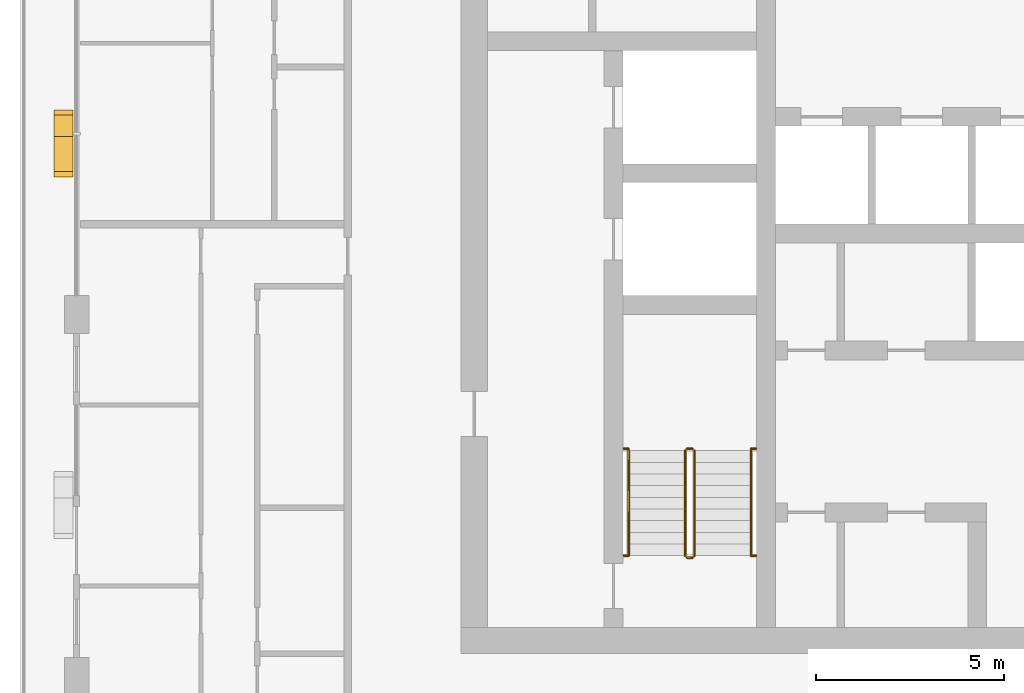
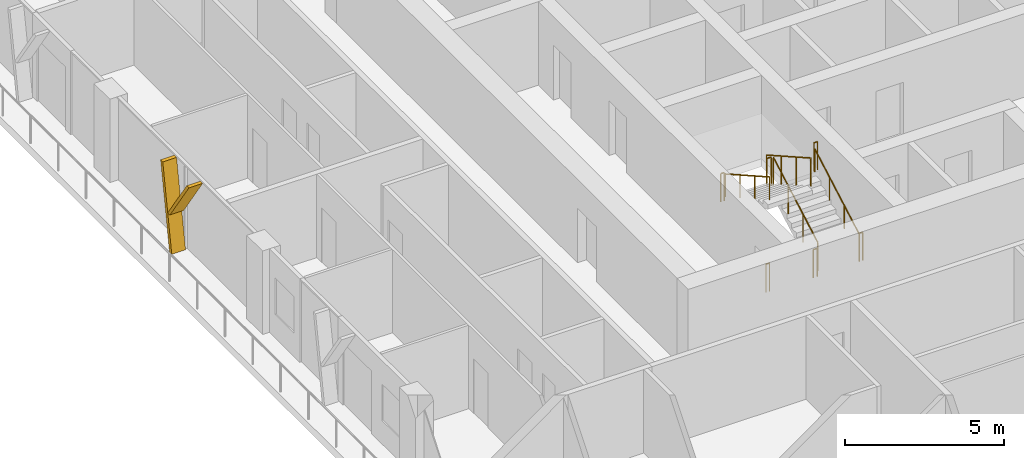
# One storey, part 18 of 22: 10 railings, 2 shading devices.
"""IFC4 building model written with IfcOpenShell, lengths in metres."""

from ifc_helpers import new_model, si_unit, direction, frame, origin, origin_2d, place, context, subcontext, project, spatial, polyline, circle, outline, extrude, material, type_object, element, save


model = new_model("IFC4")

# Units and contexts
model_context = context("Model", 3, precision=1e-05, world=origin(), true_north=direction((0.0, 1.0)))
body_context = subcontext(model_context, "Body", "Model", "MODEL_VIEW")
ifc_project = project(units=[si_unit("LENGTHUNIT", "METRE"), si_unit("AREAUNIT", "SQUARE_METRE"), si_unit("VOLUMEUNIT", "CUBIC_METRE"), si_unit("PLANEANGLEUNIT", "RADIAN"), si_unit("MASSUNIT", "GRAM", prefix="KILO")], contexts=[model_context])

# Site, building, storey
site_placement = place(None, origin())
site = spatial("IfcSite", under=ifc_project, at=site_placement, CompositionType="ELEMENT")
building_placement = place(site_placement, origin())
building = spatial("IfcBuilding", under=site, at=building_placement, Name="Madar Terraces", CompositionType="ELEMENT")
storey_placement = place(building_placement, frame((0.0, 0.0, 178.89990234375)))
storey = spatial("IfcBuildingStorey", under=building, at=storey_placement, Name="L46", CompositionType="ELEMENT", Elevation=178.89990234375)

# Shading devices
ifc_material_1 = material(Name="Aluminium, black anodised", Category="aluminium")
shading_device_type = type_object("IfcShadingDeviceType", Name="Facade fin blade 140 x 500", PredefinedType="USERDEFINED", material=ifc_material_1)
shading_device_1_placement = place(storey_placement, frame((4.449951171875, 28.8701171875, 0.0), z_axis=(0.0, 0.0, 1.0), x_axis=(0.0, -1.0, 0.0)))
element("IfcShadingDevice", 1, at=shading_device_1_placement, inside=storey, type_object=shading_device_type, Name="FIN L46 W2", ObjectType="FIN", PredefinedType="USERDEFINED", context=body_context, shape_type="SweptSolid", body=[
    extrude(outline(polyline([(0.0, 0.0), (0.14013671875, 0.0), (-0.42431640625, 3.2001953125), (-0.564208984375, 3.2001953125), (0.0, 0.0)])), frame((0.0, 0.25, 0.0), z_axis=(0.0, -1.0, 0.0), x_axis=(1.0, 0.0, 0.0)), (0.0, 0.0, 1.0), 0.5),
])
shading_device_2_placement = place(storey_placement, frame((4.449951171875, 28.98388671875, 1.440185546875), z_axis=(0.0, 0.0, 1.0), x_axis=(0.0, -1.0, 0.0)))
element("IfcShadingDevice", 2, at=shading_device_2_placement, inside=storey, type_object=shading_device_type, Name="FIN L46 W2 branch", ObjectType="FIN", PredefinedType="USERDEFINED", context=body_context, shape_type="SweptSolid", body=[
    extrude(outline(polyline([(0.0, 0.0), (0.139892578125, 0.0), (1.32958984375, 1.760009765625), (1.189697265625, 1.760009765625), (0.0, 0.0)])), frame((0.0, 0.25, 0.0), z_axis=(0.0, -1.0, 0.0), x_axis=(1.0, 0.0, 0.0)), (0.0, 0.0, 1.0), 0.5),
])

# Railings
ifc_material_2 = material(Name="Stainless steel railing", Category="steel")
railing_type_1 = type_object("IfcRailingType", Name="Stair guard 1100", PredefinedType="GUARDRAIL", material=ifc_material_2)
railing_1_placement = place(storey_placement, frame((21.199951171875, 17.60009765625, 0.175048828125)))
element("IfcRailing", 3, at=railing_1_placement, inside=storey, type_object=railing_type_1, Name="L46 ST1 stair guard 1", PredefinedType="GUARDRAIL", context=body_context, shape_type="SweptSolid", body=[
    extrude(circle(Radius=0.02392578125, at=origin_2d()), frame((0.0, 0.0, 1.076171875), z_axis=(0.0, 0.870815363784, 0.491610213684), x_axis=(-1.0, 0.0, 0.0)), (0.0, 0.0, 1.0), 3.20361328125),
    extrude(circle(Radius=0.02099609375, at=origin_2d()), origin(), (0.0, 0.0, 1.0), 1.052001953125),
    extrude(circle(Radius=0.02099609375, at=origin_2d()), frame((0.0, 0.929931640625, 0.52490234375)), (0.0, 0.0, 1.0), 1.052001953125),
    extrude(circle(Radius=0.02099609375, at=origin_2d()), frame((0.0, 1.85986328125, 1.050048828125)), (0.0, 0.0, 1.0), 1.052001953125),
    extrude(circle(Radius=0.02099609375, at=origin_2d()), frame((0.0, 2.789794921875, 1.574951171875)), (0.0, 0.0, 1.0), 1.052001953125),
])
railing_2_placement = place(storey_placement, frame((21.14990234375, 20.43994140625, 1.75)))
element("IfcRailing", 4, at=railing_2_placement, inside=storey, type_object=railing_type_1, Name="L46 ST1 stair guard 2", PredefinedType="GUARDRAIL", context=body_context, shape_type="SweptSolid", body=[
    extrude(circle(Radius=0.02392578125, at=origin_2d()), frame((0.0, 0.0, 1.076171875), z_axis=(-1.0, 0.0, 0.0), x_axis=(0.0, -1.0, 0.0)), (0.0, 0.0, 1.0), 0.14990234375),
    extrude(circle(Radius=0.02099609375, at=origin_2d()), origin(), (0.0, 0.0, 1.0), 1.052001953125),
    extrude(circle(Radius=0.02099609375, at=origin_2d()), frame((-0.14990234375, 0.0, 0.0)), (0.0, 0.0, 1.0), 1.052001953125),
])
railing_3_placement = place(storey_placement, frame((20.949951171875, 20.389892578125, 1.925048828125)))
element("IfcRailing", 5, at=railing_3_placement, inside=storey, type_object=railing_type_1, Name="L46 ST1 stair guard 3", PredefinedType="GUARDRAIL", context=body_context, shape_type="SweptSolid", body=[
    extrude(circle(Radius=0.02392578125, at=origin_2d()), frame((0.0, 0.0, 1.076171875), z_axis=(0.0, -0.870815363784, 0.491610213684), x_axis=(1.0, 0.0, 0.0)), (0.0, 0.0, 1.0), 3.20361328125),
    extrude(circle(Radius=0.02099609375, at=origin_2d()), origin(), (0.0, 0.0, 1.0), 1.052001953125),
    extrude(circle(Radius=0.02099609375, at=origin_2d()), frame((0.0, -0.929931640625, 0.52490234375)), (0.0, 0.0, 1.0), 1.052001953125),
    extrude(circle(Radius=0.02099609375, at=origin_2d()), frame((0.0, -1.85986328125, 1.050048828125)), (0.0, 0.0, 1.0), 1.052001953125),
    extrude(circle(Radius=0.02099609375, at=origin_2d()), frame((0.0, -2.789794921875, 1.574951171875)), (0.0, 0.0, 1.0), 1.052001953125),
])
railing_4_placement = place(storey_placement, frame((21.14990234375, 17.550048828125, 0.0)))
element("IfcRailing", 6, at=railing_4_placement, inside=storey, type_object=railing_type_1, Name="L46 ST1 stair guard 4", PredefinedType="GUARDRAIL", context=body_context, shape_type="SweptSolid", body=[
    extrude(circle(Radius=0.02392578125, at=origin_2d()), frame((0.0, 0.0, 1.076171875), z_axis=(-1.0, 0.0, 0.0), x_axis=(0.0, -1.0, 0.0)), (0.0, 0.0, 1.0), 0.14990234375),
    extrude(circle(Radius=0.02099609375, at=origin_2d()), origin(), (0.0, 0.0, 1.0), 1.052001953125),
    extrude(circle(Radius=0.02099609375, at=origin_2d()), frame((-0.14990234375, 0.0, 0.0)), (0.0, 0.0, 1.0), 1.052001953125),
])
railing_5_placement = place(storey_placement, frame((19.320068359375, 20.43994140625, 1.75)))
element("IfcRailing", 7, at=railing_5_placement, inside=storey, type_object=railing_type_1, Name="L46 stair guard seat 1", PredefinedType="GUARDRAIL", context=body_context, shape_type="SweptSolid", body=[
    extrude(circle(Radius=0.02392578125, at=origin_2d()), frame((0.0, 0.0, 1.076171875), z_axis=(1.0, 0.0, 0.0), x_axis=(0.0, 1.0, 0.0)), (0.0, 0.0, 1.0), 0.1298828125),
    extrude(circle(Radius=0.02099609375, at=origin_2d()), origin(), (0.0, 0.0, 1.0), 1.052001953125),
    extrude(circle(Radius=0.02099609375, at=origin_2d()), frame((0.1298828125, 0.0, 0.0)), (0.0, 0.0, 1.0), 1.052001953125),
])
railing_6_placement = place(storey_placement, frame((22.699951171875, 20.43994140625, 1.75)))
element("IfcRailing", 8, at=railing_6_placement, inside=storey, type_object=railing_type_1, Name="L46 stair guard seat 2", PredefinedType="GUARDRAIL", context=body_context, shape_type="SweptSolid", body=[
    extrude(circle(Radius=0.02392578125, at=origin_2d()), frame((0.0, 0.0, 1.076171875), z_axis=(1.0, 0.0, 0.0), x_axis=(0.0, 1.0, 0.0)), (0.0, 0.0, 1.0), 0.130126953125),
    extrude(circle(Radius=0.02099609375, at=origin_2d()), origin(), (0.0, 0.0, 1.0), 1.052001953125),
    extrude(circle(Radius=0.02099609375, at=origin_2d()), frame((0.130126953125, 0.0, 0.0)), (0.0, 0.0, 1.0), 1.052001953125),
])
railing_7_placement = place(storey_placement, frame((19.320068359375, 17.60009765625, 0.0)))
element("IfcRailing", 9, at=railing_7_placement, inside=storey, type_object=railing_type_1, Name="L46 stair guard floor 1", PredefinedType="GUARDRAIL", context=body_context, shape_type="SweptSolid", body=[
    extrude(circle(Radius=0.02392578125, at=origin_2d()), frame((0.0, 0.0, 1.076171875), z_axis=(1.0, 0.0, 0.0), x_axis=(0.0, 1.0, 0.0)), (0.0, 0.0, 1.0), 0.1298828125),
    extrude(circle(Radius=0.02099609375, at=origin_2d()), origin(), (0.0, 0.0, 1.0), 1.052001953125),
    extrude(circle(Radius=0.02099609375, at=origin_2d()), frame((0.1298828125, 0.0, 0.0)), (0.0, 0.0, 1.0), 1.052001953125),
])
railing_8_placement = place(storey_placement, frame((22.699951171875, 17.60009765625, 0.0)))
element("IfcRailing", 10, at=railing_8_placement, inside=storey, type_object=railing_type_1, Name="L46 stair guard floor 2", PredefinedType="GUARDRAIL", context=body_context, shape_type="SweptSolid", body=[
    extrude(circle(Radius=0.02392578125, at=origin_2d()), frame((0.0, 0.0, 1.076171875), z_axis=(1.0, 0.0, 0.0), x_axis=(0.0, 1.0, 0.0)), (0.0, 0.0, 1.0), 0.130126953125),
    extrude(circle(Radius=0.02099609375, at=origin_2d()), origin(), (0.0, 0.0, 1.0), 1.052001953125),
    extrude(circle(Radius=0.02099609375, at=origin_2d()), frame((0.130126953125, 0.0, 0.0)), (0.0, 0.0, 1.0), 1.052001953125),
])
ifc_material_3 = material(Name="Stainless steel railing", Category="steel")
railing_type_2 = type_object("IfcRailingType", Name="Stair handrail 900", PredefinedType="HANDRAIL", material=ifc_material_3)
railing_9_placement = place(storey_placement, frame((22.699951171875, 17.60009765625, 0.175048828125)))
element("IfcRailing", 11, at=railing_9_placement, inside=storey, type_object=railing_type_2, Name="L46 ST1 stair handrail 1", PredefinedType="HANDRAIL", context=body_context, shape_type="SweptSolid", body=[
    extrude(circle(Radius=0.02392578125, at=origin_2d()), frame((0.0, 0.0, 0.8759765625), z_axis=(0.0, 0.870815363784, 0.491610213684), x_axis=(-1.0, 0.0, 0.0)), (0.0, 0.0, 1.0), 3.20361328125),
    extrude(circle(Radius=0.02099609375, at=origin_2d()), origin(), (0.0, 0.0, 1.0), 0.851806640625),
    extrude(circle(Radius=0.02099609375, at=origin_2d()), frame((0.0, 0.929931640625, 0.52490234375)), (0.0, 0.0, 1.0), 0.851806640625),
    extrude(circle(Radius=0.02099609375, at=origin_2d()), frame((0.0, 1.85986328125, 1.050048828125)), (0.0, 0.0, 1.0), 0.851806640625),
    extrude(circle(Radius=0.02099609375, at=origin_2d()), frame((0.0, 2.789794921875, 1.574951171875)), (0.0, 0.0, 1.0), 0.851806640625),
])
railing_10_placement = place(storey_placement, frame((19.449951171875, 20.389892578125, 1.925048828125)))
element("IfcRailing", 12, at=railing_10_placement, inside=storey, type_object=railing_type_2, Name="L46 ST1 stair handrail 2", PredefinedType="HANDRAIL", context=body_context, shape_type="SweptSolid", body=[
    extrude(circle(Radius=0.02392578125, at=origin_2d()), frame((0.0, 0.0, 0.8759765625), z_axis=(0.0, -0.870815363784, 0.491610213684), x_axis=(1.0, 0.0, 0.0)), (0.0, 0.0, 1.0), 3.20361328125),
    extrude(circle(Radius=0.02099609375, at=origin_2d()), origin(), (0.0, 0.0, 1.0), 0.851806640625),
    extrude(circle(Radius=0.02099609375, at=origin_2d()), frame((0.0, -0.929931640625, 0.52490234375)), (0.0, 0.0, 1.0), 0.851806640625),
    extrude(circle(Radius=0.02099609375, at=origin_2d()), frame((0.0, -1.85986328125, 1.050048828125)), (0.0, 0.0, 1.0), 0.851806640625),
    extrude(circle(Radius=0.02099609375, at=origin_2d()), frame((0.0, -2.789794921875, 1.574951171875)), (0.0, 0.0, 1.0), 0.851806640625),
])

save(model, "model.ifc")
